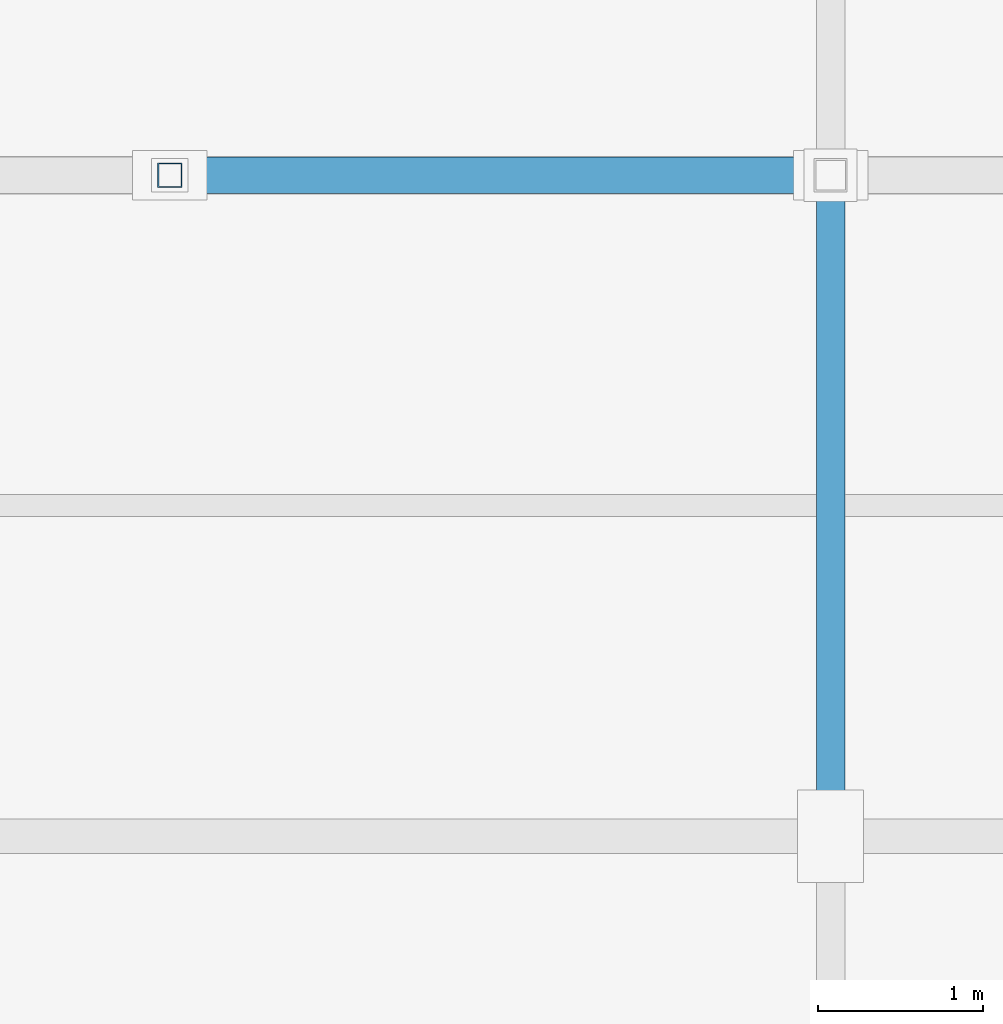
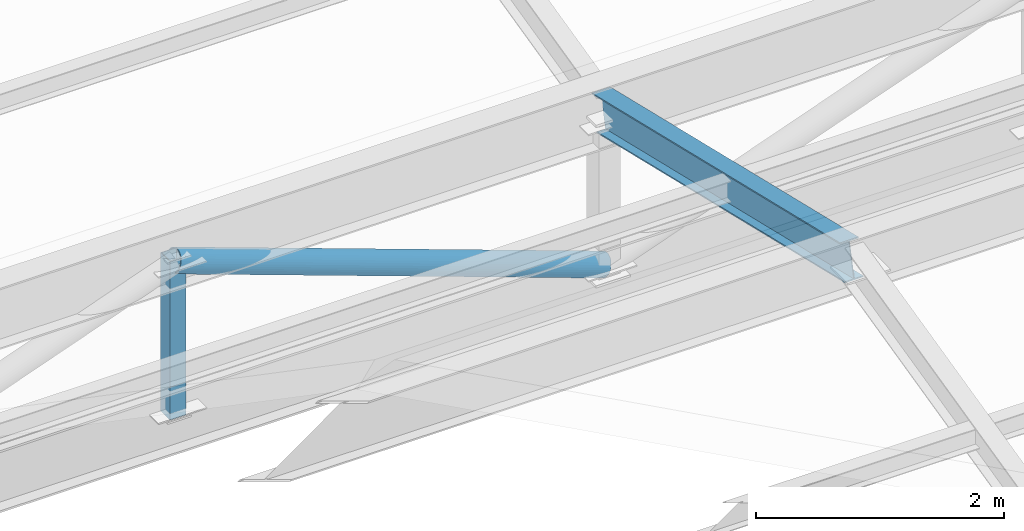
# One storey, part 42 of 112: 3 members.
"""IFC4 building model written with IfcOpenShell, lengths in metres."""

from ifc_helpers import new_model, si_unit, direction, frame, origin, origin_2d, place, context, subcontext, project, spatial, hollow_rectangle, hollow_circle, i_section, extrude, material, material_profile, profile_set, type_object, element, save


model = new_model("IFC4")

# Units and contexts
model_context = context("Model", 3, precision=1e-05, world=origin(), true_north=direction((0.0, 1.0)))
body_context = subcontext(model_context, "Body", "Model", "MODEL_VIEW")
ifc_project = project(units=[si_unit("LENGTHUNIT", "METRE"), si_unit("AREAUNIT", "SQUARE_METRE"), si_unit("VOLUMEUNIT", "CUBIC_METRE"), si_unit("PLANEANGLEUNIT", "RADIAN"), si_unit("MASSUNIT", "GRAM", prefix="KILO")], contexts=[model_context])

# Site, building, storey
site_placement = place(None, origin())
site = spatial("IfcSite", under=ifc_project, at=site_placement, CompositionType="ELEMENT")
building_placement = place(site_placement, origin())
building = spatial("IfcBuilding", under=site, at=building_placement, Name="Celadon Cloister-Ring School", CompositionType="ELEMENT")
storey_placement = place(building_placement, frame((0.0, 0.0, 8.5)))
storey = spatial("IfcBuildingStorey", under=building, at=storey_placement, Name="L02", CompositionType="ELEMENT", Elevation=8.5)

# Members
ifc_material_1 = material(Name="Structural steel S355JR", Category="steel")
ifc_material_profile_1 = material_profile(ifc_material_1, hollow_rectangle(XDim=0.14990234375, YDim=0.14990234375, WallThickness=0.008056640625, at=origin_2d()), Name="HSS150X150X8")
ifc_profile_set_1 = profile_set([ifc_material_profile_1], Name="Structural steel S355JR")
member_type_1 = type_object("IfcMemberType", Name="MB-05", PredefinedType="BRACE", material=ifc_profile_set_1)
member_1_placement = place(storey_placement, frame((154.0, 82.0, 0.919921875), z_axis=(0.0, 0.0, 1.0), x_axis=(1.0, 0.0, 0.0)))
element("IfcMember", 1, at=member_1_placement, inside=storey, type_object=member_type_1, Name="Structural Member 0419", PredefinedType="BRACE", context=body_context, shape_type="SweptSolid", body=[
    extrude(hollow_rectangle(XDim=0.14990234375, YDim=0.14990234375, WallThickness=0.008056640625, at=origin_2d()), origin(), (0.0, 0.0, 1.0), 1.56005859375),
])
ifc_material_2 = material(Name="Structural steel S355JR", Category="steel")
ifc_material_profile_2 = material_profile(ifc_material_2, hollow_circle(Radius=0.109619140625, WallThickness=0.010009765625, at=origin_2d()), Name="CHS219.1X10")
ifc_profile_set_2 = profile_set([ifc_material_profile_2], Name="Structural steel S355JR")
member_type_2 = type_object("IfcMemberType", Name="MB-08", PredefinedType="BRACE", material=ifc_profile_set_2)
member_2_placement = place(storey_placement, frame((154.0, 82.0, 2.419921875), z_axis=(0.94089180426, 0.0, -0.338707266939), x_axis=(0.0, 1.0, 0.0)))
element("IfcMember", 2, at=member_2_placement, inside=storey, type_object=member_type_2, Name="Structural Member 0426", PredefinedType="BRACE", context=body_context, shape_type="SweptSolid", body=[
    extrude(hollow_circle(Radius=0.109619140625, WallThickness=0.010009765625, at=origin_2d()), origin(), (0.0, 0.0, 1.0), 4.251220703125),
])
ifc_material_3 = material(Name="Structural steel S355JR", Category="steel")
ifc_material_profile_3 = material_profile(ifc_material_3, i_section(OverallWidth=0.1708984375, OverallDepth=0.35498046875, WebThickness=0.007080078125, FlangeThickness=0.01171875, at=origin_2d()), Name="W360X51")
ifc_profile_set_3 = profile_set([ifc_material_profile_3], Name="Structural steel S355JR")
member_type_3 = type_object("IfcMemberType", Name="MR-05", PredefinedType="RAFTER", material=ifc_profile_set_3)
member_3_placement = place(storey_placement, frame((158.0, 78.0, 3.449951171875), z_axis=(0.0, 0.97293922076, -0.231061188231), x_axis=(-1.0, 0.0, 0.0)))
element("IfcMember", 3, at=member_3_placement, inside=storey, type_object=member_type_3, Name="Structural Member 0515", PredefinedType="RAFTER", context=body_context, shape_type="SweptSolid", body=[
    extrude(i_section(OverallWidth=0.1708984375, OverallDepth=0.35498046875, WebThickness=0.007080078125, FlangeThickness=0.01171875, at=origin_2d()), origin(), (0.0, 0.0, 1.0), 4.111328125),
])

save(model, "model.ifc")
